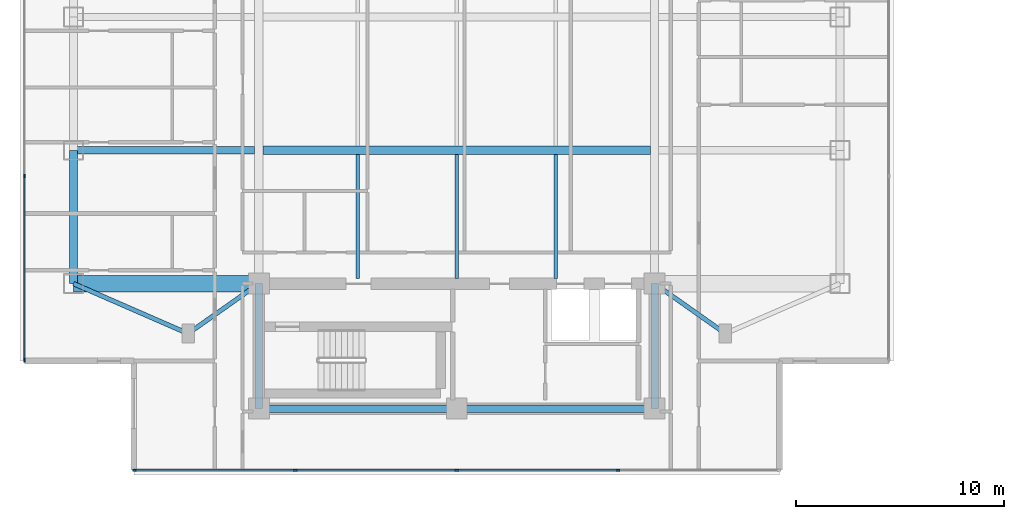
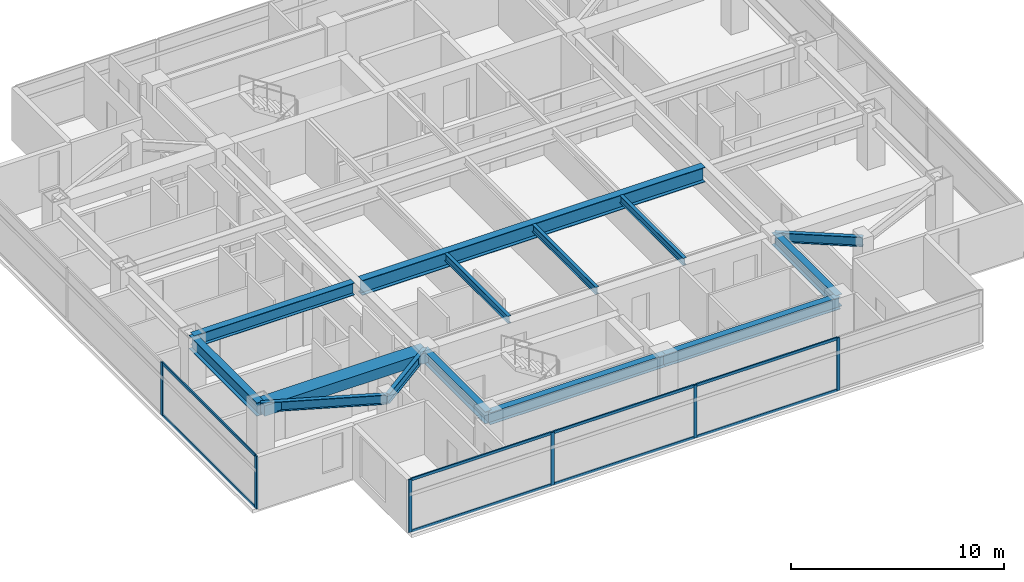
# One storey, part 2 of 24: 14 beams, 14 members, 2 elements without a shape of their own.
"""IFC4 building model written with IfcOpenShell, lengths in metres."""

from ifc_helpers import new_model, si_unit, direction, frame, origin, origin_2d, place, context, subcontext, project, spatial, rectangle, i_section, extrude, material, material_profile, profile_set, type_object, element, aggregate, save


model = new_model("IFC4")

# Units and contexts
model_context = context("Model", 3, precision=1e-05, world=origin(), true_north=direction((0.0, 1.0)))
body_context = subcontext(model_context, "Body", "Model", "MODEL_VIEW")
ifc_project = project(units=[si_unit("LENGTHUNIT", "METRE"), si_unit("AREAUNIT", "SQUARE_METRE"), si_unit("VOLUMEUNIT", "CUBIC_METRE"), si_unit("PLANEANGLEUNIT", "RADIAN"), si_unit("MASSUNIT", "GRAM", prefix="KILO")], contexts=[model_context])

# Site, building, storey
site_placement = place(None, origin())
site = spatial("IfcSite", under=ifc_project, at=site_placement, CompositionType="ELEMENT")
building_placement = place(site_placement, origin())
building = spatial("IfcBuilding", under=site, at=building_placement, Name="Mirazonda Arch Towers", CompositionType="ELEMENT")
storey_placement = place(building_placement, frame((0.0, 0.0, 167.39990234375)))
storey = spatial("IfcBuildingStorey", under=building, at=storey_placement, Name="L47", CompositionType="ELEMENT", Elevation=167.39990234375)

# Beams
ifc_material_1 = material(Name="Steel ASTM A992 Grade 50", Category="steel")
ifc_material_profile_1 = material_profile(ifc_material_1, i_section(OverallWidth=0.381103515625, OverallDepth=0.77294921875, WebThickness=0.0166015625, FlangeThickness=0.027099609375, at=origin_2d()), Name="W30X173")
ifc_profile_set_1 = profile_set([ifc_material_profile_1], Name="Steel ASTM A992 Grade 50")
beam_type_1 = type_object("IfcBeamType", Name="BM-EXT-W30X173", PredefinedType="USERDEFINED", material=ifc_profile_set_1)
beam_1_placement = place(storey_placement, frame((2.10009765625, 18.39990234375, 2.66357421875), z_axis=(0.0, 1.0, 0.0), x_axis=(-1.0, 0.0, 0.0)))
element("IfcBeam", 1, at=beam_1_placement, inside=storey, type_object=beam_type_1, Name="L47 Floor Beam BM-T1-L47-NS-W-18", ObjectType="GIRDER", PredefinedType="USERDEFINED", context=body_context, shape_type="SweptSolid", body=[
    extrude(i_section(OverallWidth=0.381103515625, OverallDepth=0.77294921875, WebThickness=0.0166015625, FlangeThickness=0.027099609375, at=origin_2d()), origin(), (0.0, 0.0, 1.0), 6.400146484375),
])
ifc_material_profile_2 = material_profile(ifc_material_1, i_section(OverallWidth=0.180908203125, OverallDepth=0.4169921875, WebThickness=0.010986328125, FlangeThickness=0.018310546875, at=origin_2d()), Name="W16X57")
ifc_profile_set_2 = profile_set([ifc_material_profile_2], Name="Steel ASTM A992 Grade 50")
beam_type_2 = type_object("IfcBeamType", Name="BM-INT-W16X57", PredefinedType="JOIST", material=ifc_profile_set_2)
for number, where, z_axis, x_axis, name in (
    (2, (15.75, 18.639892578125, 2.841552734375), (0.0, 1.0, 0.0), (-1.0, 0.0, 0.0), "L47 Floor Beam BM-T1-L47-J-157-18"),
    (3, (20.5, 18.639892578125, 2.841552734375), (0.0, 1.0, 0.0), (-1.0, 0.0, 0.0), "L47 Floor Beam BM-T1-L47-J-205-18"),
    (4, (25.25, 18.639892578125, 2.841552734375), (0.0, 1.0, 0.0), (-1.0, 0.0, 0.0), "L47 Floor Beam BM-T1-L47-J-252-18"),
):
    element("IfcBeam", number, at=place(storey_placement, frame(where, z_axis=z_axis, x_axis=x_axis)), inside=storey, type_object=beam_type_2, Name=name, PredefinedType="JOIST", context=body_context, shape_type="SweptSolid", body=[
        extrude(i_section(OverallWidth=0.180908203125, OverallDepth=0.4169921875, WebThickness=0.010986328125, FlangeThickness=0.018310546875, at=origin_2d()), origin(), (0.0, 0.0, 1.0), 5.964111328125),
    ])
ifc_material_profile_3 = material_profile(ifc_material_1, i_section(OverallWidth=0.214111328125, OverallDepth=0.549072265625, WebThickness=0.0146484375, FlangeThickness=0.023681640625, at=origin_2d()), Name="W21X93")
ifc_profile_set_3 = profile_set([ifc_material_profile_3], Name="Steel ASTM A992 Grade 50")
beam_type_3 = type_object("IfcBeamType", Name="BM-INT-W21X93", PredefinedType="BEAM", material=ifc_profile_set_3)
beam_2_placement = place(storey_placement, frame((7.60009765625, 16.0, 2.775634765625), z_axis=(0.816971114901, 0.576678591087, 0.0), x_axis=(-0.576678591087, 0.816971114901, 0.0)))
element("IfcBeam", 5, at=beam_2_placement, inside=storey, type_object=beam_type_3, Name="L47 Floor Beam BM-T1-L47-PL-SW1", PredefinedType="BEAM", context=body_context, shape_type="SweptSolid", body=[
    extrude(i_section(OverallWidth=0.214111328125, OverallDepth=0.549072265625, WebThickness=0.0146484375, FlangeThickness=0.023681640625, at=origin_2d()), origin(), (0.0, 0.0, 1.0), 4.16162109375),
])
beam_3_placement = place(storey_placement, frame((7.60009765625, 16.0, 2.775634765625), z_axis=(-0.916545343703, 0.399930785183, 0.0), x_axis=(-0.399930785183, -0.916545343703, 0.0)))
element("IfcBeam", 6, at=beam_3_placement, inside=storey, type_object=beam_type_3, Name="L47 Floor Beam BM-T1-L47-PL-SW2", PredefinedType="BEAM", context=body_context, shape_type="SweptSolid", body=[
    extrude(i_section(OverallWidth=0.214111328125, OverallDepth=0.549072265625, WebThickness=0.0146484375, FlangeThickness=0.023681640625, at=origin_2d()), origin(), (0.0, 0.0, 1.0), 6.000732421875),
])
beam_4_placement = place(storey_placement, frame((33.39990234375, 16.0, 2.775634765625), z_axis=(-0.816971114901, 0.576678591087, 0.0), x_axis=(-0.576678591087, -0.816971114901, 0.0)))
element("IfcBeam", 7, at=beam_4_placement, inside=storey, type_object=beam_type_3, Name="L47 Floor Beam BM-T1-L47-PL-SE1", PredefinedType="BEAM", context=body_context, shape_type="SweptSolid", body=[
    extrude(i_section(OverallWidth=0.214111328125, OverallDepth=0.549072265625, WebThickness=0.0146484375, FlangeThickness=0.023681640625, at=origin_2d()), origin(), (0.0, 0.0, 1.0), 4.16162109375),
])
ifc_material_profile_4 = material_profile(ifc_material_1, i_section(OverallWidth=0.35498046875, OverallDepth=0.696044921875, WebThickness=0.015380859375, FlangeThickness=0.02490234375, at=origin_2d()), Name="W27X146")
ifc_profile_set_4 = profile_set([ifc_material_profile_4], Name="Steel ASTM A992 Grade 50")
beam_type_4 = type_object("IfcBeamType", Name="BM-INT-W27X146", PredefinedType="BEAM", material=ifc_profile_set_4)
beam_5_placement = place(storey_placement, frame((2.10009765625, 24.800048828125, 2.7021484375), z_axis=(1.0, 0.0, 0.0), x_axis=(0.0, 1.0, 0.0)))
element("IfcBeam", 8, at=beam_5_placement, inside=storey, type_object=beam_type_4, Name="L47 Floor Beam BM-T1-L47-GW2", PredefinedType="BEAM", context=body_context, shape_type="SweptSolid", body=[
    extrude(i_section(OverallWidth=0.35498046875, OverallDepth=0.696044921875, WebThickness=0.015380859375, FlangeThickness=0.02490234375, at=origin_2d()), origin(), (0.0, 0.0, 1.0), 8.699951171875),
])
for number, where, z_axis, x_axis, name in (
    (9, (11.0, 12.39990234375, 2.7021484375), (1.0, 0.0, 0.0), (0.0, 1.0, 0.0), "L47 Floor Beam BM-T1-L47-CS1"),
    (10, (20.5, 12.39990234375, 2.7021484375), (1.0, 0.0, 0.0), (0.0, 1.0, 0.0), "L47 Floor Beam BM-T1-L47-CS2"),
):
    element("IfcBeam", number, at=place(storey_placement, frame(where, z_axis=z_axis, x_axis=x_axis)), inside=storey, type_object=beam_type_4, Name=name, PredefinedType="BEAM", context=body_context, shape_type="SweptSolid", body=[
        extrude(i_section(OverallWidth=0.35498046875, OverallDepth=0.696044921875, WebThickness=0.015380859375, FlangeThickness=0.02490234375, at=origin_2d()), origin(), (0.0, 0.0, 1.0), 9.5),
    ])
for number, where, z_axis, x_axis, name in (
    (11, (11.0, 12.39990234375, 2.7021484375), (0.0, 1.0, 0.0), (-1.0, 0.0, 0.0), "L47 Floor Beam BM-T1-L47-CSW"),
    (12, (30.0, 12.39990234375, 2.7021484375), (0.0, 1.0, 0.0), (-1.0, 0.0, 0.0), "L47 Floor Beam BM-T1-L47-CSE"),
):
    element("IfcBeam", number, at=place(storey_placement, frame(where, z_axis=z_axis, x_axis=x_axis)), inside=storey, type_object=beam_type_4, Name=name, PredefinedType="BEAM", context=body_context, shape_type="SweptSolid", body=[
        extrude(i_section(OverallWidth=0.35498046875, OverallDepth=0.696044921875, WebThickness=0.015380859375, FlangeThickness=0.02490234375, at=origin_2d()), origin(), (0.0, 0.0, 1.0), 6.0),
    ])
ifc_material_profile_5 = material_profile(ifc_material_1, i_section(OverallWidth=0.39990234375, OverallDepth=0.85595703125, WebThickness=0.018310546875, FlangeThickness=0.029296875, at=origin_2d()), Name="W33X201")
ifc_profile_set_5 = profile_set([ifc_material_profile_5], Name="Steel ASTM A992 Grade 50")
beam_type_5 = type_object("IfcBeamType", Name="BM-INT-W33X201", PredefinedType="USERDEFINED", material=ifc_profile_set_5)
beam_6_placement = place(storey_placement, frame((11.199951171875, 24.800048828125, 2.6220703125), z_axis=(1.0, 0.0, 0.0), x_axis=(0.0, 1.0, 0.0)))
element("IfcBeam", 13, at=beam_6_placement, inside=storey, type_object=beam_type_5, Name="L47 Floor Beam BM-T1-L47-GC2", ObjectType="GIRDER", PredefinedType="USERDEFINED", context=body_context, shape_type="SweptSolid", body=[
    extrude(i_section(OverallWidth=0.39990234375, OverallDepth=0.85595703125, WebThickness=0.018310546875, FlangeThickness=0.029296875, at=origin_2d()), origin(), (0.0, 0.0, 1.0), 18.60009765625),
])
ifc_material_2 = material(Name="Concrete C60/75", Category="concrete")
ifc_material_profile_6 = material_profile(ifc_material_2, rectangle(XDim=0.800048828125, YDim=0.60009765625, at=origin_2d()), Name="RCCB800x600")
ifc_profile_set_6 = profile_set([ifc_material_profile_6], Name="Concrete C60/75")
beam_type_6 = type_object("IfcBeamType", Name="CB-INT-RCCB800x600", PredefinedType="SPANDREL", material=ifc_profile_set_6)
beam_7_placement = place(storey_placement, frame((2.10009765625, 18.39990234375, 2.75), z_axis=(1.0, 0.0, 0.0), x_axis=(0.0, 1.0, 0.0)))
element("IfcBeam", 14, at=beam_7_placement, inside=storey, type_object=beam_type_6, Name="L47 Floor Beam CBC-T1-L47-SW", PredefinedType="SPANDREL", context=body_context, shape_type="SweptSolid", body=[
    extrude(rectangle(XDim=0.800048828125, YDim=0.60009765625, at=origin_2d()), origin(), (0.0, 0.0, 1.0), 8.89990234375),
])

# Curtain wall, members
ifc_material_3 = material(Name="Anodised Aluminium and Low-E Glass", Category="aluminium")
curtain_wall_type = type_object("IfcCurtainWallType", Name="CW-RES-UNIT", PredefinedType="NOTDEFINED", material=ifc_material_3)
curtain_wall_1_placement = place(storey_placement, origin())
curtain_wall_1 = element("IfcCurtainWall", 15, at=curtain_wall_1_placement, inside=storey, type_object=curtain_wall_type, Name="L47 T1 S Facade CW-L47-T1-S", PredefinedType="NOTDEFINED")
ifc_material_4 = material(Name="Anodised Aluminium Alloy", Category="aluminium")
ifc_material_profile_7 = material_profile(ifc_material_4, rectangle(XDim=0.074951171875, YDim=0.175048828125, at=origin_2d()), Name="ALU-MULL-75x175")
ifc_profile_set_7 = profile_set([ifc_material_profile_7], Name="Anodised Aluminium Alloy")
member_type_1 = type_object("IfcMemberType", Name="MULL-CW-RES-UNIT", PredefinedType="MULLION", material=ifc_profile_set_7)
member_1_placement = place(storey_placement, frame((28.25244140625, 9.43798828125, 0.0), z_axis=(0.0, 0.0, 1.0), x_axis=(0.0, -1.0, 0.0)))
member_1 = element("IfcMember", 16, at=member_1_placement, type_object=member_type_1, Name="CW-104 mullion 2", PredefinedType="MULLION", context=body_context, shape_type="SweptSolid", body=[
    extrude(rectangle(XDim=0.074951171875, YDim=0.175048828125, at=origin_2d()), origin(), (0.0, 0.0, 1.0), 3.030029296875),
])
member_2_placement = place(storey_placement, frame((20.5, 9.43798828125, 0.0), z_axis=(0.0, 0.0, 1.0), x_axis=(0.0, -1.0, 0.0)))
member_2 = element("IfcMember", 17, at=member_2_placement, type_object=member_type_1, Name="CW-104 mullion 3", PredefinedType="MULLION", context=body_context, shape_type="SweptSolid", body=[
    extrude(rectangle(XDim=0.074951171875, YDim=0.175048828125, at=origin_2d()), origin(), (0.0, 0.0, 1.0), 3.030029296875),
])
member_3_placement = place(storey_placement, frame((12.74755859375, 9.43798828125, 0.0), z_axis=(0.0, 0.0, 1.0), x_axis=(0.0, -1.0, 0.0)))
member_3 = element("IfcMember", 18, at=member_3_placement, type_object=member_type_1, Name="CW-104 mullion 4", PredefinedType="MULLION", context=body_context, shape_type="SweptSolid", body=[
    extrude(rectangle(XDim=0.074951171875, YDim=0.175048828125, at=origin_2d()), origin(), (0.0, 0.0, 1.0), 3.030029296875),
])
member_4_placement = place(storey_placement, frame((5.032470703125, 9.43798828125, 0.0), z_axis=(0.0, 0.0, 1.0), x_axis=(0.0, -1.0, 0.0)))
member_4 = element("IfcMember", 19, at=member_4_placement, type_object=member_type_1, Name="CW-104 mullion 5", PredefinedType="MULLION", context=body_context, shape_type="SweptSolid", body=[
    extrude(rectangle(XDim=0.074951171875, YDim=0.175048828125, at=origin_2d()), origin(), (0.0, 0.0, 1.0), 3.030029296875),
])

curtain_wall_2_placement = place(storey_placement, origin())
curtain_wall_2 = element("IfcCurtainWall", 20, at=curtain_wall_2_placement, inside=storey, type_object=curtain_wall_type, Name="L47 T1 W Facade CW-L47-T1-W", PredefinedType="NOTDEFINED")
member_5_placement = place(storey_placement, frame((-0.25, 23.56103515625, 0.0), z_axis=(0.0, 0.0, 1.0), x_axis=(1.0, 0.0, 0.0)))
member_5 = element("IfcMember", 21, at=member_5_placement, type_object=member_type_1, Name="CW-104 mullion 3", PredefinedType="MULLION", context=body_context, shape_type="SweptSolid", body=[
    extrude(rectangle(XDim=0.074951171875, YDim=0.175048828125, at=origin_2d()), origin(), (0.0, 0.0, 1.0), 3.030029296875),
])
member_6_placement = place(storey_placement, frame((-0.25, 14.720458984375, 0.0), z_axis=(0.0, 0.0, 1.0), x_axis=(1.0, 0.0, 0.0)))
member_6 = element("IfcMember", 22, at=member_6_placement, type_object=member_type_1, Name="CW-104 mullion 4", PredefinedType="MULLION", context=body_context, shape_type="SweptSolid", body=[
    extrude(rectangle(XDim=0.074951171875, YDim=0.175048828125, at=origin_2d()), origin(), (0.0, 0.0, 1.0), 3.030029296875),
])

# Member
ifc_material_profile_8 = material_profile(ifc_material_4, rectangle(XDim=0.074951171875, YDim=0.155029296875, at=origin_2d()), Name="ALU-TRAN-75x155")
ifc_profile_set_8 = profile_set([ifc_material_profile_8], Name="Anodised Aluminium Alloy")
member_type_2 = type_object("IfcMemberType", Name="TRAN-CW-RES-UNIT", PredefinedType="USERDEFINED", material=ifc_profile_set_8)
member_7_placement = place(storey_placement, frame((28.215087890625, 9.43798828125, 0.03759765625), z_axis=(-1.0, 0.0, 0.0), x_axis=(0.0, -1.0, 0.0)))
member_7 = element("IfcMember", 23, at=member_7_placement, type_object=member_type_2, Name="CW-104 transom 2.1", ObjectType="TRANSOM", PredefinedType="USERDEFINED", context=body_context, shape_type="SweptSolid", body=[
    extrude(rectangle(XDim=0.074951171875, YDim=0.155029296875, at=origin_2d()), origin(), (0.0, 0.0, 1.0), 7.677490234375),
])

member_8_placement = place(storey_placement, frame((28.215087890625, 9.43798828125, 2.99267578125), z_axis=(-1.0, 0.0, 0.0), x_axis=(0.0, -1.0, 0.0)))
member_8 = element("IfcMember", 24, at=member_8_placement, type_object=member_type_2, Name="CW-104 transom 2.2", ObjectType="TRANSOM", PredefinedType="USERDEFINED", context=body_context, shape_type="SweptSolid", body=[
    extrude(rectangle(XDim=0.074951171875, YDim=0.155029296875, at=origin_2d()), origin(), (0.0, 0.0, 1.0), 7.677490234375),
])

member_9_placement = place(storey_placement, frame((20.46240234375, 9.43798828125, 0.03759765625), z_axis=(-1.0, 0.0, 0.0), x_axis=(0.0, -1.0, 0.0)))
member_9 = element("IfcMember", 25, at=member_9_placement, type_object=member_type_2, Name="CW-104 transom 3.1", ObjectType="TRANSOM", PredefinedType="USERDEFINED", context=body_context, shape_type="SweptSolid", body=[
    extrude(rectangle(XDim=0.074951171875, YDim=0.155029296875, at=origin_2d()), origin(), (0.0, 0.0, 1.0), 7.677490234375),
])

member_10_placement = place(storey_placement, frame((20.46240234375, 9.43798828125, 2.99267578125), z_axis=(-1.0, 0.0, 0.0), x_axis=(0.0, -1.0, 0.0)))
member_10 = element("IfcMember", 26, at=member_10_placement, type_object=member_type_2, Name="CW-104 transom 3.2", ObjectType="TRANSOM", PredefinedType="USERDEFINED", context=body_context, shape_type="SweptSolid", body=[
    extrude(rectangle(XDim=0.074951171875, YDim=0.155029296875, at=origin_2d()), origin(), (0.0, 0.0, 1.0), 7.677490234375),
])

member_11_placement = place(storey_placement, frame((12.7099609375, 9.43798828125, 0.03759765625), z_axis=(-1.0, 0.0, 0.0), x_axis=(0.0, -1.0, 0.0)))
member_11 = element("IfcMember", 27, at=member_11_placement, type_object=member_type_2, Name="CW-104 transom 4.1", ObjectType="TRANSOM", PredefinedType="USERDEFINED", context=body_context, shape_type="SweptSolid", body=[
    extrude(rectangle(XDim=0.074951171875, YDim=0.155029296875, at=origin_2d()), origin(), (0.0, 0.0, 1.0), 7.639892578125),
])

member_12_placement = place(storey_placement, frame((12.7099609375, 9.43798828125, 2.99267578125), z_axis=(-1.0, 0.0, 0.0), x_axis=(0.0, -1.0, 0.0)))
member_12 = element("IfcMember", 28, at=member_12_placement, type_object=member_type_2, Name="CW-104 transom 4.2", ObjectType="TRANSOM", PredefinedType="USERDEFINED", context=body_context, shape_type="SweptSolid", body=[
    extrude(rectangle(XDim=0.074951171875, YDim=0.155029296875, at=origin_2d()), origin(), (0.0, 0.0, 1.0), 7.639892578125),
])

aggregate(curtain_wall_1, [member_1, member_2, member_3, member_4, member_7, member_8, member_9, member_10, member_11, member_12])

member_13_placement = place(storey_placement, frame((-0.25, 23.5234375, 0.03759765625), z_axis=(0.0, -1.0, 0.0), x_axis=(1.0, 0.0, 0.0)))
member_13 = element("IfcMember", 29, at=member_13_placement, type_object=member_type_2, Name="CW-104 transom 3.1", ObjectType="TRANSOM", PredefinedType="USERDEFINED", context=body_context, shape_type="SweptSolid", body=[
    extrude(rectangle(XDim=0.074951171875, YDim=0.155029296875, at=origin_2d()), origin(), (0.0, 0.0, 1.0), 8.765380859375),
])

member_14_placement = place(storey_placement, frame((-0.25, 23.5234375, 2.99267578125), z_axis=(0.0, -1.0, 0.0), x_axis=(1.0, 0.0, 0.0)))
member_14 = element("IfcMember", 30, at=member_14_placement, type_object=member_type_2, Name="CW-104 transom 3.2", ObjectType="TRANSOM", PredefinedType="USERDEFINED", context=body_context, shape_type="SweptSolid", body=[
    extrude(rectangle(XDim=0.074951171875, YDim=0.155029296875, at=origin_2d()), origin(), (0.0, 0.0, 1.0), 8.765380859375),
])

aggregate(curtain_wall_2, [member_5, member_6, member_13, member_14])

save(model, "model.ifc")
